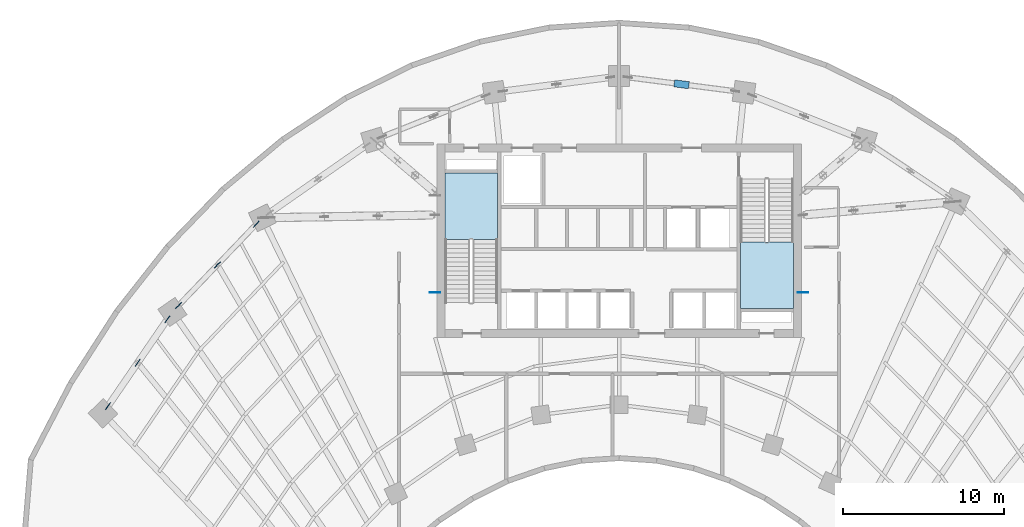
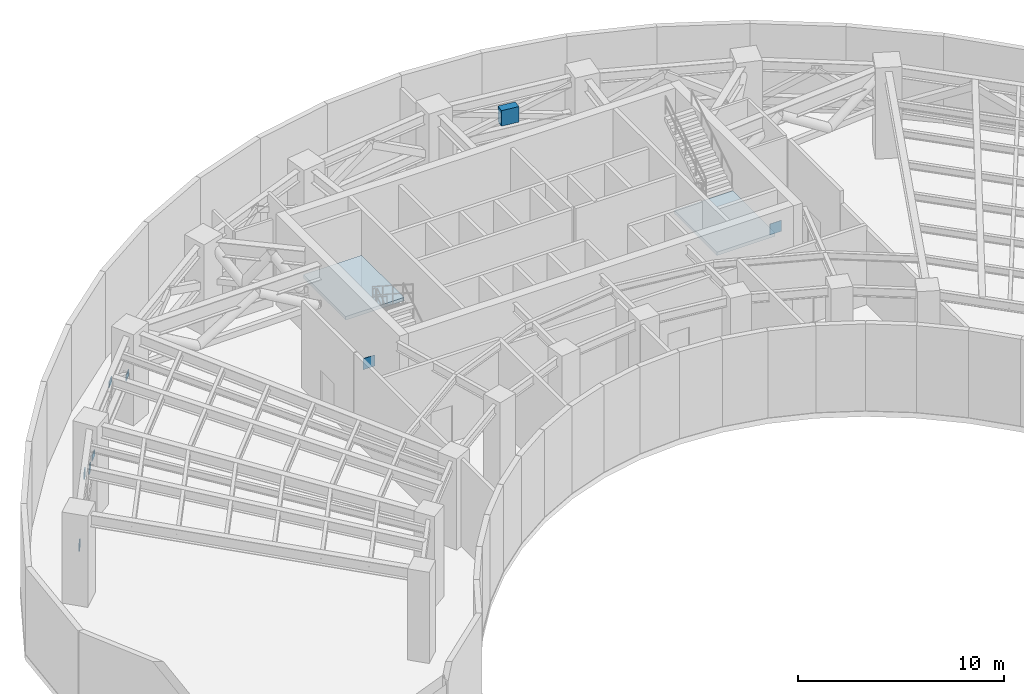
# One storey, part 4 of 10: 9 plates, 2 slabs, 2 elements without a shape of their own.
"""IFC4 building model written with IfcOpenShell, lengths in metres."""

import ifcopenshell
import ifcopenshell.guid

model = None  # the IFC model being written
_history = None  # IfcOwnerHistory: only IFC2X3 demands one
_inside = {}  # id of a spatial element -> (the spatial element, [elements in it])
_under = {}  # id of a project, library or spatial element -> (it, [spatial elements below it])
_declared = {}  # id of a project -> (the project, [libraries it declares])
_typed = {}  # id of a type object -> (the type object, [elements of that type])
_made_of = {}  # id of a material, layer set ... -> (it, [elements and type objects made of it])


def new_model(schema):
    """Start an empty IFC model of exactly this schema.

    Asked for "IFC4X3", IfcOpenShell would pick the latest addendum, in which some entities
    have other attributes; the version numbers below select the first issue.
    IFC2X3 requires an IfcOwnerHistory on every rooted entity: one is made here for all.
    """
    global model, _history
    if schema == "IFC4X3":
        model = ifcopenshell.file(schema_version=(4, 3, 0, 0))
    else:
        model = ifcopenshell.file(schema=schema)
    _inside.clear()
    _under.clear()
    _declared.clear()
    _typed.clear()
    _made_of.clear()
    _history = None
    if model.schema == "IFC2X3":
        org = make("IfcOrganization", Name="unknown")
        user = make(
            "IfcPersonAndOrganization",
            ThePerson=make("IfcPerson", FamilyName="unknown"),
            TheOrganization=org,
        )
        app = make(
            "IfcApplication",
            ApplicationDeveloper=org,
            Version="unknown",
            ApplicationFullName="unknown",
            ApplicationIdentifier="unknown",
        )
        _history = make(
            "IfcOwnerHistory",
            OwningUser=user,
            OwningApplication=app,
            ChangeAction="ADDED",
            CreationDate=0,
        )
    return model


def make(cls, **values):
    """One entity of the class cls with the attributes given. An attribute that is None is left unset."""
    return model.create_entity(
        cls, **{name: value for name, value in values.items() if value is not None}
    )


def rooted(cls, **values):
    """An entity with a GlobalId (a new one), such as an element, a storey or a relation."""
    return make(cls, GlobalId=ifcopenshell.guid.new(), OwnerHistory=_history, **values)


def si_unit(unit_type, name, prefix=None):
    """IfcSIUnit, for example si_unit("LENGTHUNIT", "METRE", prefix="MILLI")."""
    return make("IfcSIUnit", UnitType=unit_type, Prefix=prefix, Name=name)


def assignment(units):
    """IfcUnitAssignment: the units of a project."""
    return None if units is None else make("IfcUnitAssignment", Units=units)


def point(xyz):
    """IfcCartesianPoint."""
    return None if xyz is None else make("IfcCartesianPoint", Coordinates=xyz)


def direction(xyz):
    """IfcDirection."""
    return None if xyz is None else make("IfcDirection", DirectionRatios=xyz)


def frame(location, z_axis=None, x_axis=None):
    """IfcAxis2Placement3D, a coordinate frame: its origin and axes. An axis left out is left unset."""
    return make(
        "IfcAxis2Placement3D",
        Location=point(location),
        Axis=direction(z_axis),
        RefDirection=direction(x_axis),
    )


def frame_2d(location, x_axis=None):
    """IfcAxis2Placement2D, a coordinate frame in the plane: its origin and x axis."""
    return make(
        "IfcAxis2Placement2D", Location=point(location), RefDirection=direction(x_axis)
    )


def origin():
    """The frame at (0, 0, 0) with its axes left unset."""
    return frame((0.0, 0.0, 0.0))


def origin_2d():
    """The frame at (0, 0) in the plane with its x axis left unset."""
    return frame_2d((0.0, 0.0))


def place(relative_to, where):
    """IfcLocalPlacement: puts the frame where relative to a parent placement (None: the world)."""
    return make(
        "IfcLocalPlacement", PlacementRelTo=relative_to, RelativePlacement=where
    )


def context(
    kind, dimensions, precision=None, world=None, true_north=None, identifier=None
):
    """IfcGeometricRepresentationContext, for example the 3D "Model" context."""
    return make(
        "IfcGeometricRepresentationContext",
        ContextIdentifier=identifier,
        ContextType=kind,
        CoordinateSpaceDimension=dimensions,
        Precision=precision,
        WorldCoordinateSystem=world,
        TrueNorth=true_north,
    )


def subcontext(parent, identifier, kind, view, scale=None):
    """IfcGeometricRepresentationSubContext, for example "Body" below "Model"."""
    return make(
        "IfcGeometricRepresentationSubContext",
        ContextIdentifier=identifier,
        ContextType=kind,
        ParentContext=parent,
        TargetScale=scale,
        TargetView=view,
    )


def project(units=None, contexts=None):
    """IfcProject with its units and contexts."""
    return rooted(
        "IfcProject",
        Name="project",
        RepresentationContexts=contexts,
        UnitsInContext=assignment(units),
    )


def spatial(cls, under=None, at=None, **own):
    """A site, building, storey or space (cls), placed at a placement, below another one or the project."""
    s = rooted(cls, ObjectPlacement=at, **own)
    if under is not None:
        _under.setdefault(under.id(), (under, []))[1].append(s)
    return s


def polyline(points):
    """IfcPolyline through the points."""
    return make("IfcPolyline", Points=[point(p) for p in points])


def profile(cls, at=None, kind="AREA", **sizes):
    """A parametric profile (cls). Its sizes go by their IFC names, for example OverallWidth=200.0."""
    return make(cls, ProfileType=kind, Position=at, **sizes)


def rectangle(**sizes):
    """IfcRectangleProfileDef."""
    return profile("IfcRectangleProfileDef", **sizes)


def outline(outer, holes=None, kind="AREA"):
    """IfcArbitraryClosedProfileDef: a profile drawn as a closed curve; with holes, ...WithVoids."""
    if holes is None:
        return make("IfcArbitraryClosedProfileDef", ProfileType=kind, OuterCurve=outer)
    return make(
        "IfcArbitraryProfileDefWithVoids",
        ProfileType=kind,
        OuterCurve=outer,
        InnerCurves=holes,
    )


def extrude(swept, where, along, depth):
    """IfcExtrudedAreaSolid: the profile swept, set in the frame where, extruded along a direction by depth."""
    return make(
        "IfcExtrudedAreaSolid",
        SweptArea=swept,
        Position=where,
        ExtrudedDirection=direction(along),
        Depth=depth,
    )


def shape(context_of_items, identifier, shape_type, items):
    """IfcShapeRepresentation: the items that make up one representation, for example the "Body"."""
    return make(
        "IfcShapeRepresentation",
        ContextOfItems=context_of_items,
        RepresentationIdentifier=identifier,
        RepresentationType=shape_type,
        Items=items,
    )


def source(mapping_origin, context_of_items, identifier, shape_type, items):
    """IfcRepresentationMap: a shape defined once, which mapped items show again and again."""
    return make(
        "IfcRepresentationMap",
        MappingOrigin=mapping_origin,
        MappedRepresentation=shape(context_of_items, identifier, shape_type, items),
    )


def transform(
    local_origin,
    x_axis=None,
    y_axis=None,
    z_axis=None,
    scale=None,
    scale2=None,
    scale3=None,
    uniform=True,
):
    """IfcCartesianTransformationOperator3D, or its non-uniform kind. x_axis, y_axis, z_axis: its Axis1, 2, 3."""
    if uniform:
        return make(
            "IfcCartesianTransformationOperator3D",
            Axis1=direction(x_axis),
            Axis2=direction(y_axis),
            LocalOrigin=point(local_origin),
            Scale=scale,
            Axis3=direction(z_axis),
        )
    return make(
        "IfcCartesianTransformationOperator3DnonUniform",
        Axis1=direction(x_axis),
        Axis2=direction(y_axis),
        LocalOrigin=point(local_origin),
        Scale=scale,
        Axis3=direction(z_axis),
        Scale2=scale2,
        Scale3=scale3,
    )


def mapped(mapping_source, mapping_target):
    """IfcMappedItem: shows the shape of a source again, moved by a transform."""
    return make(
        "IfcMappedItem", MappingSource=mapping_source, MappingTarget=mapping_target
    )


def material(Name=None, Category=None):
    """IfcMaterial."""
    return make("IfcMaterial", Name=Name, Category=Category)


def layer(
    of_material, thickness, ventilated=None, Name=None, Category=None, Priority=None
):
    """IfcMaterialLayer: one layer of a wall or slab, of a material (None: an air gap)."""
    return make(
        "IfcMaterialLayer",
        Material=of_material,
        LayerThickness=thickness,
        IsVentilated=ventilated,
        Name=Name,
        Category=Category,
        Priority=Priority,
    )


def layer_set(layers, Name=None):
    """IfcMaterialLayerSet."""
    return make("IfcMaterialLayerSet", MaterialLayers=layers, LayerSetName=Name)


def made_of(thing, what):
    """Note that an element or type object is made of a material, layer set ...; save() writes the relation."""
    if what is not None:
        _made_of.setdefault(what.id(), (what, []))[1].append(thing)
    return thing


def type_object(cls, material=None, **own):
    """A type object (cls), such as IfcWallType, which elements share."""
    return made_of(rooted(cls, **own), material)


def type_shapes(of_type, sources):
    """Give a type object the sources (RepresentationMaps) that its elements show as mapped items."""
    of_type.RepresentationMaps = sources


def element(
    cls,
    number,
    at=None,
    inside=None,
    cuts=None,
    type_object=None,
    material=None,
    context=None,
    identifier="Body",
    shape_type=None,
    held_by="IfcProductDefinitionShape",
    body=None,
    shapes=None,
    **own,
):
    """One element of the class cls, such as IfcWall. Its Tag is "e" and its number.

    at: its placement. inside: the storey or other place that contains it. cuts: it is an
    opening in that element (IfcRelVoidsElement). A single representation is given by context,
    identifier, shape_type and body (its items); several are given by shapes. held_by: the class
    of the entity that holds the representations. save() writes the other relations.
    """
    e = rooted(cls, Tag="e%d" % number, ObjectPlacement=at, **own)
    if body is not None:
        shapes = [shape(context, identifier, shape_type, body)]
    if shapes is not None:
        e.Representation = make(held_by, Representations=shapes)
    if inside is not None:
        _inside.setdefault(inside.id(), (inside, []))[1].append(e)
    if cuts is not None:
        rooted(
            "IfcRelVoidsElement", RelatingBuildingElement=cuts, RelatedOpeningElement=e
        )
    if type_object is not None:
        _typed.setdefault(type_object.id(), (type_object, []))[1].append(e)
    return made_of(e, material)


def aggregate(whole, parts):
    """IfcRelAggregates: a whole, such as a stair, and the parts it consists of."""
    return rooted("IfcRelAggregates", RelatingObject=whole, RelatedObjects=parts)


def save(model, path):
    """Write the relations noted so far, then the file.

    IfcRelAggregates (storeys below a building ...), IfcRelContainedInSpatialStructure (elements
    in a storey), IfcRelDefinesByType, IfcRelAssociatesMaterial and IfcRelDeclares: one each for
    every whole, place, type object, material and project.
    """
    for whole, parts in _under.values():
        aggregate(whole, parts)
    for where, things in _inside.values():
        rooted(
            "IfcRelContainedInSpatialStructure",
            RelatedElements=things,
            RelatingStructure=where,
        )
    for kind, things in _typed.values():
        rooted("IfcRelDefinesByType", RelatedObjects=things, RelatingType=kind)
    for what, things in _made_of.values():
        rooted("IfcRelAssociatesMaterial", RelatedObjects=things, RelatingMaterial=what)
    for by, libraries in _declared.values():
        rooted("IfcRelDeclares", RelatingContext=by, RelatedDefinitions=libraries)
    model.write(path)


model = new_model("IFC4")

# Units and contexts
model_context = context("Model", 3, precision=1e-05, world=origin(), true_north=direction((0.0, 1.0)))
body_context = subcontext(model_context, "Body", "Model", "MODEL_VIEW")
ifc_project = project(units=[si_unit("LENGTHUNIT", "METRE"), si_unit("AREAUNIT", "SQUARE_METRE"), si_unit("VOLUMEUNIT", "CUBIC_METRE"), si_unit("PLANEANGLEUNIT", "RADIAN"), si_unit("MASSUNIT", "GRAM", prefix="KILO")], contexts=[model_context])

# Site, building, storey
site_placement = place(None, origin())
site = spatial("IfcSite", under=ifc_project, at=site_placement, CompositionType="ELEMENT")
building_placement = place(site_placement, origin())
building = spatial("IfcBuilding", under=site, at=building_placement, Name="Breltana Convention Tower", CompositionType="ELEMENT")
storey_placement = place(building_placement, frame((0.0, 0.0, 85.800048828125)))
storey = spatial("IfcBuildingStorey", under=building, at=storey_placement, Name="L20", CompositionType="ELEMENT", Elevation=85.800048828125)

# Stair, slab
ifc_material_1 = material(Name="Concrete C40/50", Category="concrete")
stair_type = type_object("IfcStairType", Name="ST-DOG-1560-R180", PredefinedType="HALF_TURN_STAIR", material=ifc_material_1)
stair_1_placement = place(storey_placement, origin())
stair_1 = element("IfcStair", 1, at=stair_1_placement, inside=storey, type_object=stair_type, Name="L20 Protected Core Exit Stair ST-1", PredefinedType="HALF_TURN_STAIR")
ifc_layer_1 = layer(ifc_material_1, 0.199951171875, Name="Concrete C40/50")
ifc_layer_set_1 = layer_set([ifc_layer_1], Name="Concrete C40/50")
slab_type = type_object("IfcSlabType", Name="SL-STAIR-LANDING-200", PredefinedType="LANDING", material=ifc_layer_set_1)
slab_1_placement = place(storey_placement, frame((0.0, 0.0, 2.5)))
slab_1 = element("IfcSlab", 2, at=slab_1_placement, type_object=slab_type, Name="ST-1 landing 1", PredefinedType="LANDING", context=body_context, shape_type="SweptSolid", body=[
    extrude(outline(polyline([(40.469970703125, 66.280029296875), (40.469970703125, 70.39990234375), (37.199951171875, 70.39990234375), (37.199951171875, 66.280029296875), (40.469970703125, 66.280029296875)])), origin(), (0.0, 0.0, 1.0), 0.199951171875),
])
aggregate(stair_1, [slab_1])

stair_2_placement = place(storey_placement, origin())
stair_2 = element("IfcStair", 3, at=stair_2_placement, inside=storey, type_object=stair_type, Name="L20 Protected Core Exit Stair ST-2", PredefinedType="HALF_TURN_STAIR")
slab_2_placement = place(storey_placement, frame((0.0, 0.0, 2.5)))
slab_2 = element("IfcSlab", 4, at=slab_2_placement, type_object=slab_type, Name="ST-2 landing 1", PredefinedType="LANDING", context=body_context, shape_type="SweptSolid", body=[
    extrude(outline(polyline([(55.530029296875, 66.1201171875), (55.530029296875, 62.0), (58.800048828125, 62.0), (58.800048828125, 66.1201171875), (55.530029296875, 66.1201171875)])), origin(), (0.0, 0.0, 1.0), 0.199951171875),
])
aggregate(stair_2, [slab_2])

# Plates
ifc_material_2 = material(Name="Steel S355", Category="steel")
ifc_layer_2 = layer(ifc_material_2, 0.0400390625, Name="Steel S355")
ifc_layer_set_2 = layer_set([ifc_layer_2], Name="Steel S355")
plate_type_1 = type_object("IfcPlateType", Name="PL-GUSSET-40", PredefinedType="USERDEFINED", material=ifc_layer_set_2)
shared_shape_1 = source(origin(), body_context, "Body", "SweptSolid", [
    extrude(rectangle(XDim=0.919921875, YDim=0.43994140625, at=origin_2d()), origin(), (0.0, 0.0, 1.0), 0.919921875),
])
type_shapes(plate_type_1, [shared_shape_1])
plate_placement = place(storey_placement, frame((51.873291015625, 75.904296875, 3.27587890625), z_axis=(0.0, 0.0, 1.0), x_axis=(0.99178318013, -0.127930151302, 0.0)))
element("IfcPlate", 5, at=plate_placement, inside=storey, type_object=plate_type_1, Name="L20 Belt X-Brace Crossing Gusset Plate 06", ObjectType="GUSSET_PLATE", PredefinedType="USERDEFINED", context=body_context, shape_type="MappedRepresentation", body=[
    mapped(shared_shape_1, transform((0.0, 0.0, 0.0), scale=1.0)),
])
shared_shape_2 = source(origin(), body_context, "Body", "SweptSolid", [
    extrude(rectangle(XDim=0.52001953125, YDim=0.0400390625, at=origin_2d()), origin(), (0.0, 0.0, 1.0), 0.360107421875),
])
for number, where, z_axis, x_axis, name in (
    (6, (16.3173828125, 55.948486328125, 2.56982421875), (0.0, 0.0, 1.0), (0.564534897583, 0.825409201191, 0.0), "L20 Structural Brace Node Gusset Plate 021"),
    (7, (18.158935546875, 58.6416015625, 4.5419921875), (0.0, 0.0, 1.0), (0.564534897583, 0.825409201191, 0.0), "L20 Structural Brace Node Gusset Plate 022"),
    (8, (20.00048828125, 61.334716796875, 2.56982421875), (0.0, 0.0, 1.0), (0.564390827903, 0.825507718546, 0.0), "L20 Structural Brace Node Gusset Plate 023"),
    (9, (20.69091796875, 62.186279296875, 2.56982421875), (0.0, 0.0, 1.0), (0.690756218984, 0.723087716626, 0.0), "L20 Structural Brace Node Gusset Plate 024"),
    (10, (23.099365234375, 64.707763671875, 4.5419921875), (0.0, 0.0, 1.0), (0.690756218984, 0.723087716626, 0.0), "L20 Structural Brace Node Gusset Plate 025"),
    (11, (25.5078125, 67.229248046875, 2.56982421875), (0.0, 0.0, 1.0), (0.690756218984, 0.723087716626, 0.0), "L20 Structural Brace Node Gusset Plate 026"),
):
    element("IfcPlate", number, at=place(storey_placement, frame(where, z_axis=z_axis, x_axis=x_axis)), inside=storey, type_object=plate_type_1, Name=name, ObjectType="GUSSET_PLATE", PredefinedType="USERDEFINED", context=body_context, shape_type="MappedRepresentation", body=[
        mapped(shared_shape_2, transform((0.0, 0.0, 0.0), scale=1.0)),
    ])
ifc_layer_3 = layer(ifc_material_2, 0.031982421875, Name="Steel S355")
ifc_layer_set_3 = layer_set([ifc_layer_3], Name="Steel S355")
plate_type_2 = type_object("IfcPlateType", Name="PL-SPLICE-32", PredefinedType="SHEET", material=ifc_layer_set_3)
shared_shape_3 = source(origin(), body_context, "Body", "SweptSolid", [
    extrude(rectangle(XDim=0.64990234375, YDim=0.031982421875, at=origin_2d()), origin(), (0.0, 0.0, 1.0), 0.64990234375),
])
type_shapes(plate_type_2, [shared_shape_3])
for number, where, z_axis, x_axis, name in (
    (12, (36.60009765625, 63.0, 1.875), (0.0, 0.0, 1.0), (1.0, 0.0, 0.0), "L20 outrigger bolted flange splice plate 1"),
    (13, (59.39990234375, 63.0, 1.875), (0.0, 0.0, 1.0), (1.0, 0.0, 0.0), "L20 outrigger bolted flange splice plate 3"),
):
    element("IfcPlate", number, at=place(storey_placement, frame(where, z_axis=z_axis, x_axis=x_axis)), inside=storey, type_object=plate_type_2, Name=name, PredefinedType="SHEET", context=body_context, shape_type="MappedRepresentation", body=[
        mapped(shared_shape_3, transform((0.0, 0.0, 0.0), scale=1.0)),
    ])

save(model, "model.ifc")
